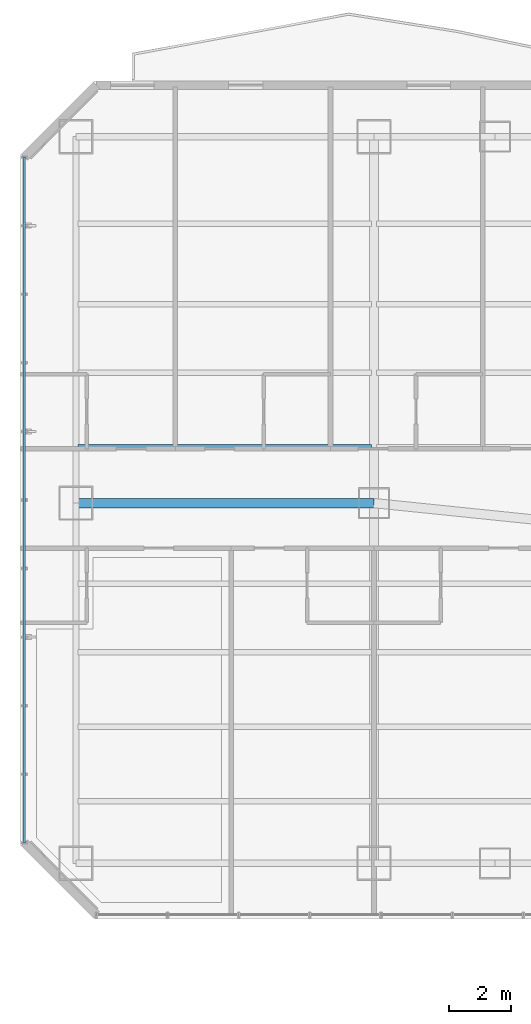
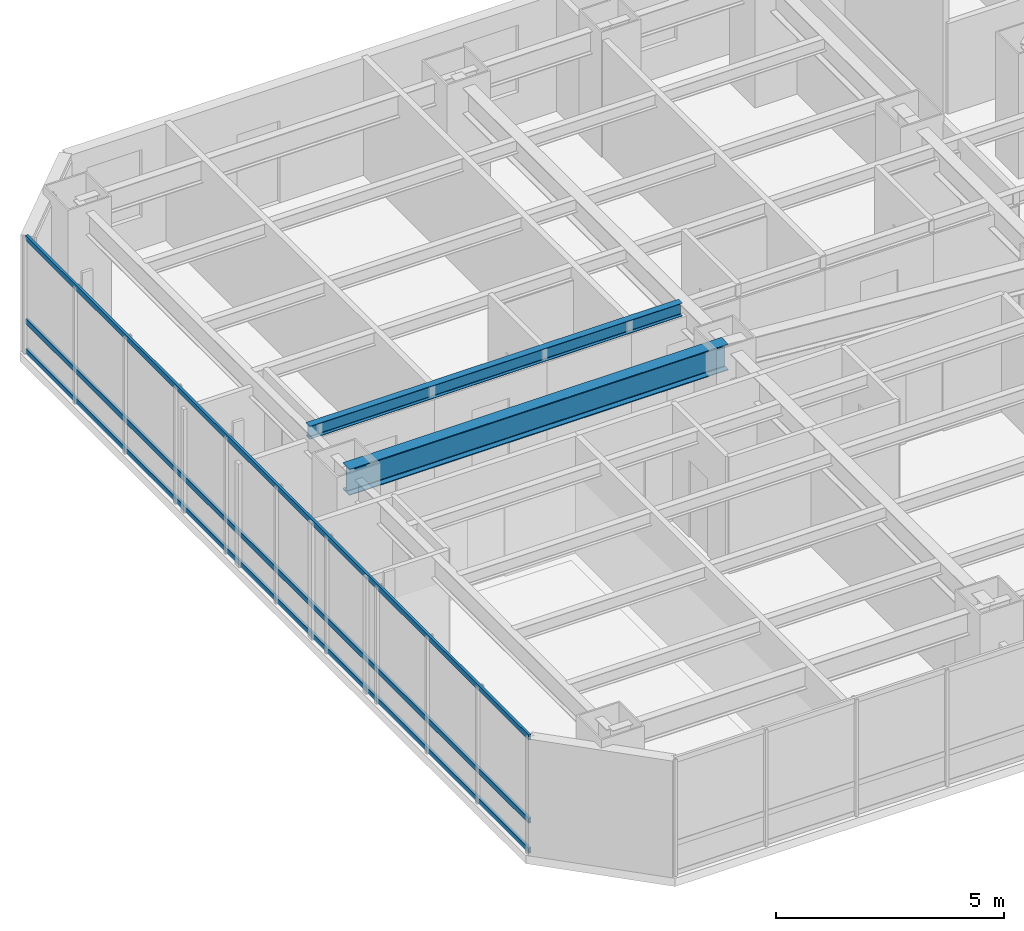
# One storey, part 13 of 38: 3 members, 2 beams, 1 element without a shape of its own.
"""IFC4 building model written with IfcOpenShell, lengths in metres."""

from ifc_helpers import new_model, si_unit, direction, frame, origin, origin_2d, place, context, subcontext, project, spatial, hollow_rectangle, i_section, extrude, material, layer, layer_set, material_profile, profile_set, type_object, element, aggregate, save


model = new_model("IFC4")

# Units and contexts
model_context = context("Model", 3, precision=1e-05, world=origin(), true_north=direction((0.0, 1.0)))
body_context = subcontext(model_context, "Body", "Model", "MODEL_VIEW")
ifc_project = project(units=[si_unit("LENGTHUNIT", "METRE"), si_unit("AREAUNIT", "SQUARE_METRE"), si_unit("VOLUMEUNIT", "CUBIC_METRE"), si_unit("PLANEANGLEUNIT", "RADIAN"), si_unit("MASSUNIT", "GRAM", prefix="KILO")], contexts=[model_context])

# Site, building, storey
site_placement = place(None, origin())
site = spatial("IfcSite", under=ifc_project, at=site_placement, CompositionType="ELEMENT")
building_placement = place(site_placement, origin())
building = spatial("IfcBuilding", under=site, at=building_placement, Name="Hatsunagi Terrace Concourse", CompositionType="ELEMENT")
storey_placement = place(building_placement, frame((0.0, 0.0, 60.050048828125)))
storey = spatial("IfcBuildingStorey", under=building, at=storey_placement, Name="L15", CompositionType="ELEMENT", Elevation=60.050048828125)

# Curtain wall, members
ifc_material_1 = material(Name="Anodised Aluminium Alloy 6063-T5", Category="aluminium")
ifc_layer = layer(ifc_material_1, 0.199951171875)
ifc_layer_set = layer_set([ifc_layer], Name="HotelFacade_CW02")
curtain_wall_type = type_object("IfcCurtainWallType", Name="HotelFacade_CW02", PredefinedType="NOTDEFINED", material=ifc_layer_set)
curtain_wall_placement = place(storey_placement, origin())
curtain_wall = element("IfcCurtainWall", 1, at=curtain_wall_placement, inside=storey, type_object=curtain_wall_type, Name="Unitised Curtain Wall CW-02 CW-L15-09", PredefinedType="NOTDEFINED")
ifc_material_2 = material(Name="Anodised Aluminium Alloy 6063-T5", Category="aluminium")
ifc_material_profile_1 = material_profile(ifc_material_2, hollow_rectangle(XDim=0.06494140625, YDim=0.139892578125, WallThickness=0.00390625, at=origin_2d()), Name="ALU-TRN-140x65x4")
ifc_profile_set_1 = profile_set([ifc_material_profile_1], Name="Anodised Aluminium Alloy 6063-T5")
member_type = type_object("IfcMemberType", Name="CurtainWallTransom_140x65", PredefinedType="USERDEFINED", material=ifc_profile_set_1)
member_1_placement = place(storey_placement, frame((0.139892578125, 25.85791015625, 0.050048828125), z_axis=(0.0, 1.0, 0.0), x_axis=(-1.0, 0.0, 0.0)))
member_1 = element("IfcMember", 2, at=member_1_placement, type_object=member_type, Name="Curtain Wall Transom TRN-02", ObjectType="TRANSOM", PredefinedType="USERDEFINED", context=body_context, shape_type="SweptSolid", body=[
    extrude(hollow_rectangle(XDim=0.06494140625, YDim=0.139892578125, WallThickness=0.00390625, at=origin_2d()), origin(), (0.0, 0.0, 1.0), 22.083984375),
])
member_2_placement = place(storey_placement, frame((0.139892578125, 25.85791015625, 0.849853515625), z_axis=(0.0, 1.0, 0.0), x_axis=(-1.0, 0.0, 0.0)))
member_2 = element("IfcMember", 3, at=member_2_placement, type_object=member_type, Name="Curtain Wall Transom TRN-02", ObjectType="TRANSOM", PredefinedType="USERDEFINED", context=body_context, shape_type="SweptSolid", body=[
    extrude(hollow_rectangle(XDim=0.06494140625, YDim=0.139892578125, WallThickness=0.00390625, at=origin_2d()), origin(), (0.0, 0.0, 1.0), 22.083984375),
])
member_3_placement = place(storey_placement, frame((0.139892578125, 25.85791015625, 3.079833984375), z_axis=(0.0, 1.0, 0.0), x_axis=(-1.0, 0.0, 0.0)))
member_3 = element("IfcMember", 4, at=member_3_placement, type_object=member_type, Name="Curtain Wall Transom TRN-02", ObjectType="TRANSOM", PredefinedType="USERDEFINED", context=body_context, shape_type="SweptSolid", body=[
    extrude(hollow_rectangle(XDim=0.06494140625, YDim=0.139892578125, WallThickness=0.00390625, at=origin_2d()), origin(), (0.0, 0.0, 1.0), 22.083984375),
])
aggregate(curtain_wall, [member_1, member_2, member_3])

# Beams
ifc_material_3 = material(Name="Steel SN490B", Category="steel")
ifc_material_profile_2 = material_profile(ifc_material_3, i_section(OverallWidth=0.300048828125, OverallDepth=0.699951171875, WebThickness=0.012939453125, FlangeThickness=0.02392578125, FilletRadius=0.02197265625, at=origin_2d()), Name="H-700x300x13x24")
ifc_profile_set_2 = profile_set([ifc_material_profile_2], Name="Steel SN490B")
beam_type_1 = type_object("IfcBeamType", Name="HotelFloorGirder_H_700x300", PredefinedType="BEAM", material=ifc_profile_set_2)
beam_1_placement = place(storey_placement, frame((1.800048828125, 36.800048828125, 2.780029296875), z_axis=(1.0, 0.0, 0.0), x_axis=(0.0, 1.0, 0.0)))
element("IfcBeam", 5, at=beam_1_placement, inside=storey, type_object=beam_type_1, Name="Beam G-04 BM-L15-EW-1", PredefinedType="BEAM", context=body_context, shape_type="SweptSolid", body=[
    extrude(i_section(OverallWidth=0.300048828125, OverallDepth=0.699951171875, WebThickness=0.012939453125, FlangeThickness=0.02392578125, FilletRadius=0.02197265625, at=origin_2d()), origin(), (0.0, 0.0, 1.0), 9.599853515625),
])
ifc_material_4 = material(Name="Steel SN490B", Category="steel")
ifc_material_profile_3 = material_profile(ifc_material_4, i_section(OverallWidth=0.175048828125, OverallDepth=0.35009765625, WebThickness=0.007080078125, FlangeThickness=0.010986328125, FilletRadius=0.012939453125, at=origin_2d()), Name="H-350x175x7x11")
ifc_profile_set_3 = profile_set([ifc_material_profile_3], Name="Steel SN490B")
beam_type_2 = type_object("IfcBeamType", Name="HotelJoist_H_350x175", PredefinedType="JOIST", material=ifc_profile_set_3)
beam_2_placement = place(storey_placement, frame((1.864990234375, 38.60009765625, 2.954833984375), z_axis=(1.0, 0.0, 0.0), x_axis=(0.0, 1.0, 0.0)))
element("IfcBeam", 6, at=beam_2_placement, inside=storey, type_object=beam_type_2, Name="Beam J-02 J-L15-W-1-386", PredefinedType="JOIST", context=body_context, shape_type="SweptSolid", body=[
    extrude(i_section(OverallWidth=0.175048828125, OverallDepth=0.35009765625, WebThickness=0.007080078125, FlangeThickness=0.010986328125, FilletRadius=0.012939453125, at=origin_2d()), origin(), (0.0, 0.0, 1.0), 9.449951171875),
])

save(model, "model.ifc")
